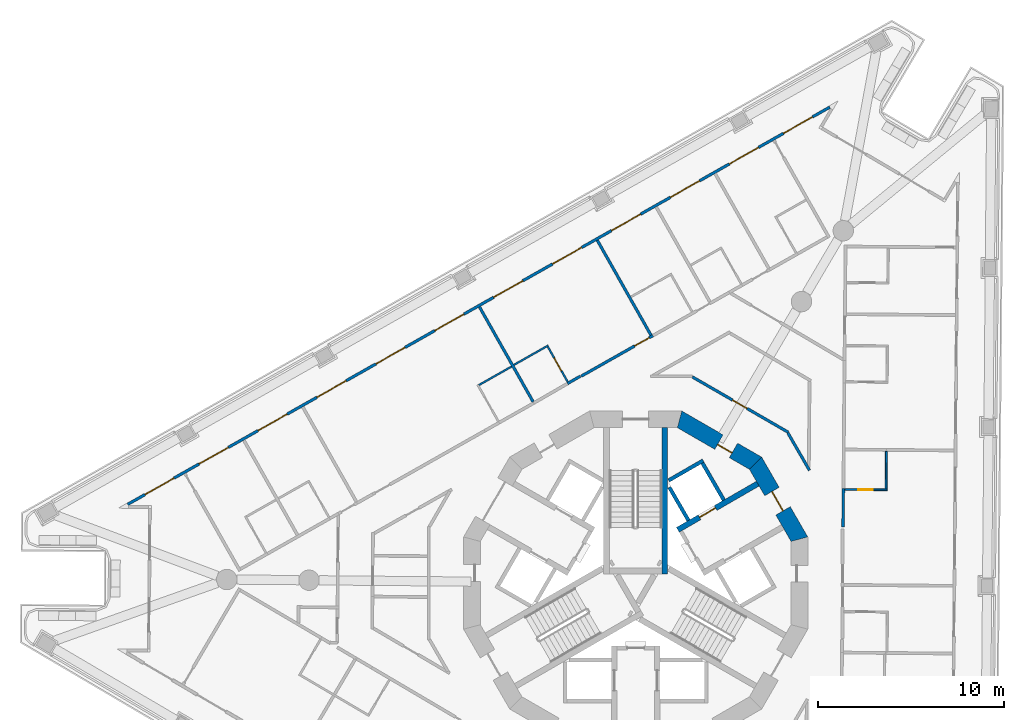
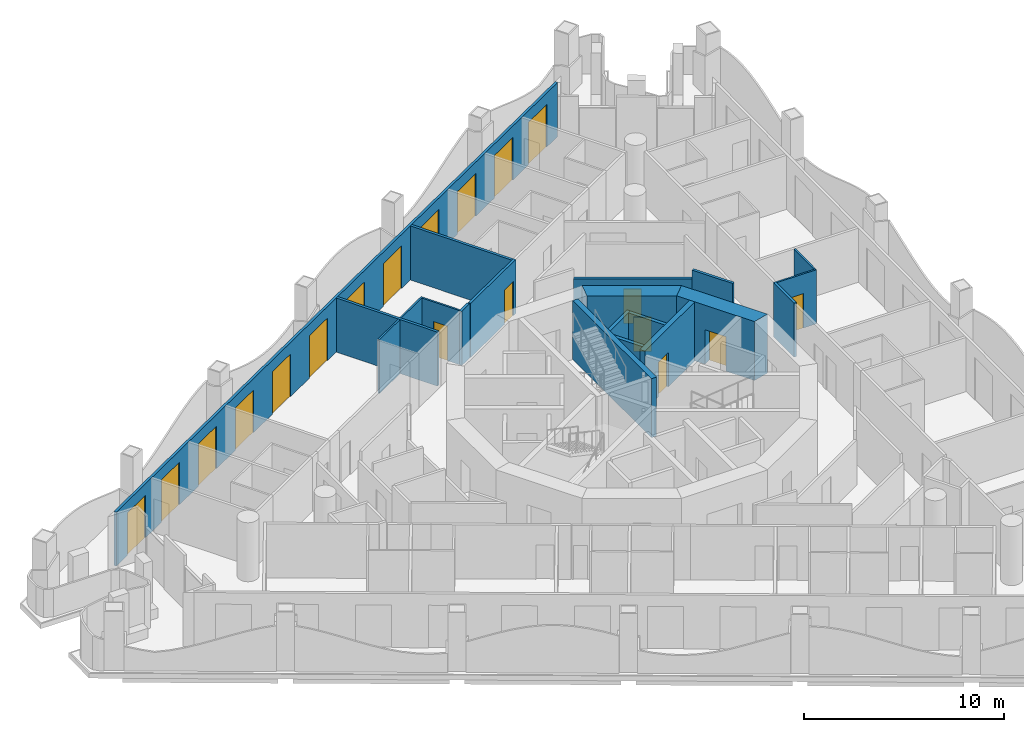
# One storey, part 8 of 17: 20 walls, 19 doors, 19 openings.
"""IFC4 building model written with IfcOpenShell, lengths in metres."""

from ifc_helpers import new_model, si_unit, direction, frame, frame_2d, origin, place, context, subcontext, project, spatial, polyline, rectangle, outline, extrude, material, layer, layer_set, type_object, element, fill, save


model = new_model("IFC4")

# Units and contexts
model_context = context("Model", 3, precision=1e-05, world=origin(), true_north=direction((0.0, 1.0)))
body_context = subcontext(model_context, "Body", "Model", "MODEL_VIEW")
ifc_project = project(units=[si_unit("LENGTHUNIT", "METRE"), si_unit("AREAUNIT", "SQUARE_METRE"), si_unit("VOLUMEUNIT", "CUBIC_METRE"), si_unit("PLANEANGLEUNIT", "RADIAN"), si_unit("MASSUNIT", "GRAM", prefix="KILO")], contexts=[model_context])

# Site, building, storey
site_placement = place(None, origin())
site = spatial("IfcSite", under=ifc_project, at=site_placement, CompositionType="ELEMENT")
building_placement = place(site_placement, origin())
building = spatial("IfcBuilding", under=site, at=building_placement, Name="Trine Commons Tower", CompositionType="ELEMENT")
storey_placement = place(building_placement, frame((0.0, 0.0, 164.699951171875)))
storey = spatial("IfcBuildingStorey", under=building, at=storey_placement, Name="L42", CompositionType="ELEMENT", Elevation=164.699951171875)

# Wall, openings, doors
ifc_material_1 = material(Name="Aluminium-framed insulated wall panel", Category="aluminium")
ifc_layer_1 = layer(ifc_material_1, 0.14990234375)
ifc_layer_set_1 = layer_set([ifc_layer_1], Name="Aluminium-framed insulated wall panel")
wall_type_1 = type_object("IfcWallType", Name="Glazed frame wall 150, EI 60", PredefinedType="SOLIDWALL", material=ifc_layer_set_1)
wall_1_placement = place(storey_placement, frame((52.497802734375, 66.67041015625, 0.0), z_axis=(0.0, 0.0, 1.0), x_axis=(0.870354973249, 0.492424837453, 0.0)))
wall_1 = element("IfcWall", 1, at=wall_1_placement, inside=storey, type_object=wall_type_1, Name="Glazed frame wall F1", PredefinedType="SOLIDWALL", context=body_context, shape_type="SweptSolid", body=[
    extrude(outline(polyline([(0.1494140625, 0.074951171875), (0.1494140625, -0.074951171875), (43.616943359375, -0.074951171875), (43.616943359375, 0.074951171875), (0.1494140625, 0.074951171875)])), origin(), (0.0, 0.0, 1.0), 3.300048828125),
])
opening_1_placement = place(wall_1_placement, frame((1.2236328125, 0.0, 0.0)))
opening_1 = element("IfcOpeningElement", 2, at=opening_1_placement, cuts=wall_1, Name="Opening BD-5F1-01", PredefinedType="OPENING", context=body_context, shape_type="SweptSolid", body=[
    extrude(rectangle(XDim=1.800048828125, YDim=2.60009765625, at=frame_2d((0.89990234375, 1.300048828125))), frame((0.0, 0.0849609375, 0.0), z_axis=(0.0, -1.0, 0.0), x_axis=(1.0, 0.0, 0.0)), (0.0, 0.0, 1.0), 0.169921875),
])
opening_2_placement = place(wall_1_placement, frame((4.57080078125, 0.0, 0.0)))
opening_2 = element("IfcOpeningElement", 3, at=opening_2_placement, cuts=wall_1, Name="Opening BD-5F1-02", PredefinedType="OPENING", context=body_context, shape_type="SweptSolid", body=[
    extrude(rectangle(XDim=1.800048828125, YDim=2.60009765625, at=frame_2d((0.89990234375, 1.300048828125))), frame((0.0, 0.0849609375, 0.0), z_axis=(0.0, -1.0, 0.0), x_axis=(1.0, 0.0, 0.0)), (0.0, 0.0, 1.0), 0.169921875),
])
opening_3_placement = place(wall_1_placement, frame((8.218017578125, 0.0, 0.0)))
opening_3 = element("IfcOpeningElement", 4, at=opening_3_placement, cuts=wall_1, Name="Opening BD-5F1-03", PredefinedType="OPENING", context=body_context, shape_type="SweptSolid", body=[
    extrude(rectangle(XDim=1.800048828125, YDim=2.60009765625, at=frame_2d((0.89990234375, 1.300048828125))), frame((0.0, 0.0849609375, 0.0), z_axis=(0.0, -1.0, 0.0), x_axis=(1.0, 0.0, 0.0)), (0.0, 0.0, 1.0), 0.169921875),
])
opening_4_placement = place(wall_1_placement, frame((11.865234375, 0.0, 0.0)))
opening_4 = element("IfcOpeningElement", 5, at=opening_4_placement, cuts=wall_1, Name="Opening BD-5F1-04", PredefinedType="OPENING", context=body_context, shape_type="SweptSolid", body=[
    extrude(rectangle(XDim=1.800048828125, YDim=2.60009765625, at=frame_2d((0.89990234375, 1.300048828125))), frame((0.0, 0.0849609375, 0.0), z_axis=(0.0, -1.0, 0.0), x_axis=(1.0, 0.0, 0.0)), (0.0, 0.0, 1.0), 0.169921875),
])
opening_5_placement = place(wall_1_placement, frame((15.512451171875, 0.0, 0.0)))
opening_5 = element("IfcOpeningElement", 6, at=opening_5_placement, cuts=wall_1, Name="Opening BD-5F1-05", PredefinedType="OPENING", context=body_context, shape_type="SweptSolid", body=[
    extrude(rectangle(XDim=1.800048828125, YDim=2.60009765625, at=frame_2d((0.89990234375, 1.300048828125))), frame((0.0, 0.0849609375, 0.0), z_axis=(0.0, -1.0, 0.0), x_axis=(1.0, 0.0, 0.0)), (0.0, 0.0, 1.0), 0.169921875),
])
opening_6_placement = place(wall_1_placement, frame((19.15966796875, 0.0, 0.0)))
opening_6 = element("IfcOpeningElement", 7, at=opening_6_placement, cuts=wall_1, Name="Opening BD-5F1-06", PredefinedType="OPENING", context=body_context, shape_type="SweptSolid", body=[
    extrude(rectangle(XDim=1.800048828125, YDim=2.60009765625, at=frame_2d((0.89990234375, 1.300048828125))), frame((0.0, 0.0849609375, 0.0), z_axis=(0.0, -1.0, 0.0), x_axis=(1.0, 0.0, 0.0)), (0.0, 0.0, 1.0), 0.169921875),
])
opening_7_placement = place(wall_1_placement, frame((22.806884765625, 0.0, 0.0)))
opening_7 = element("IfcOpeningElement", 8, at=opening_7_placement, cuts=wall_1, Name="Opening BD-5F1-07", PredefinedType="OPENING", context=body_context, shape_type="SweptSolid", body=[
    extrude(rectangle(XDim=1.800048828125, YDim=2.60009765625, at=frame_2d((0.89990234375, 1.300048828125))), frame((0.0, 0.0849609375, 0.0), z_axis=(0.0, -1.0, 0.0), x_axis=(1.0, 0.0, 0.0)), (0.0, 0.0, 1.0), 0.169921875),
])
opening_8_placement = place(wall_1_placement, frame((26.4541015625, 0.0, 0.0)))
opening_8 = element("IfcOpeningElement", 9, at=opening_8_placement, cuts=wall_1, Name="Opening BD-5F1-08", PredefinedType="OPENING", context=body_context, shape_type="SweptSolid", body=[
    extrude(rectangle(XDim=1.800048828125, YDim=2.60009765625, at=frame_2d((0.89990234375, 1.300048828125))), frame((0.0, 0.0849609375, 0.0), z_axis=(0.0, -1.0, 0.0), x_axis=(1.0, 0.0, 0.0)), (0.0, 0.0, 1.0), 0.169921875),
])
opening_9_placement = place(wall_1_placement, frame((30.101318359375, 0.0, 0.0)))
opening_9 = element("IfcOpeningElement", 10, at=opening_9_placement, cuts=wall_1, Name="Opening BD-5F1-09", PredefinedType="OPENING", context=body_context, shape_type="SweptSolid", body=[
    extrude(rectangle(XDim=1.800048828125, YDim=2.60009765625, at=frame_2d((0.89990234375, 1.300048828125))), frame((0.0, 0.0849609375, 0.0), z_axis=(0.0, -1.0, 0.0), x_axis=(1.0, 0.0, 0.0)), (0.0, 0.0, 1.0), 0.169921875),
])
opening_10_placement = place(wall_1_placement, frame((33.748291015625, 0.0, 0.0)))
opening_10 = element("IfcOpeningElement", 11, at=opening_10_placement, cuts=wall_1, Name="Opening BD-5F1-10", PredefinedType="OPENING", context=body_context, shape_type="SweptSolid", body=[
    extrude(rectangle(XDim=1.800048828125, YDim=2.60009765625, at=frame_2d((0.89990234375, 1.300048828125))), frame((0.0, 0.0849609375, 0.0), z_axis=(0.0, -1.0, 0.0), x_axis=(1.0, 0.0, 0.0)), (0.0, 0.0, 1.0), 0.169921875),
])
opening_11_placement = place(wall_1_placement, frame((37.3955078125, 0.0, 0.0)))
opening_11 = element("IfcOpeningElement", 12, at=opening_11_placement, cuts=wall_1, Name="Opening BD-5F1-11", PredefinedType="OPENING", context=body_context, shape_type="SweptSolid", body=[
    extrude(rectangle(XDim=1.800048828125, YDim=2.60009765625, at=frame_2d((0.89990234375, 1.300048828125))), frame((0.0, 0.0849609375, 0.0), z_axis=(0.0, -1.0, 0.0), x_axis=(1.0, 0.0, 0.0)), (0.0, 0.0, 1.0), 0.169921875),
])
opening_12_placement = place(wall_1_placement, frame((40.742919921875, 0.0, 0.0)))
opening_12 = element("IfcOpeningElement", 13, at=opening_12_placement, cuts=wall_1, Name="Opening BD-5F1-12", PredefinedType="OPENING", context=body_context, shape_type="SweptSolid", body=[
    extrude(rectangle(XDim=1.800048828125, YDim=2.60009765625, at=frame_2d((0.89990234375, 1.300048828125))), frame((0.0, 0.0849609375, 0.0), z_axis=(0.0, -1.0, 0.0), x_axis=(1.0, 0.0, 0.0)), (0.0, 0.0, 1.0), 0.169921875),
])
ifc_material_2 = material(Name="Anodised aluminium frame with double glazing", Category="aluminium")
door_type_1 = type_object("IfcDoorType", Name="Sliding loggia door 1800x2600", OperationType="SLIDING_TO_LEFT", PredefinedType="DOOR", material=ifc_material_2)
door_1_placement = place(opening_1_placement, origin())
door_1 = element("IfcDoor", 14, at=door_1_placement, inside=storey, type_object=door_type_1, Name="Loggia door F1 1", OperationType="SLIDING_TO_LEFT", OverallHeight=2.60009765625, OverallWidth=1.800048828125, PredefinedType="DOOR", context=body_context, shape_type="SweptSolid", body=[
    extrude(rectangle(XDim=1.800048828125, YDim=2.60009765625, at=frame_2d((0.89990234375, 1.300048828125))), frame((0.0, 0.02490234375, 0.0), z_axis=(0.0, -1.0, 0.0), x_axis=(1.0, 0.0, 0.0)), (0.0, 0.0, 1.0), 0.050048828125),
])
fill(opening_1, door_1)
door_2_placement = place(opening_2_placement, origin())
door_2 = element("IfcDoor", 15, at=door_2_placement, inside=storey, type_object=door_type_1, Name="Loggia door F1 2", OperationType="SLIDING_TO_LEFT", OverallHeight=2.60009765625, OverallWidth=1.800048828125, PredefinedType="DOOR", context=body_context, shape_type="SweptSolid", body=[
    extrude(rectangle(XDim=1.800048828125, YDim=2.60009765625, at=frame_2d((0.89990234375, 1.300048828125))), frame((0.0, 0.02490234375, 0.0), z_axis=(0.0, -1.0, 0.0), x_axis=(1.0, 0.0, 0.0)), (0.0, 0.0, 1.0), 0.050048828125),
])
fill(opening_2, door_2)
door_3_placement = place(opening_3_placement, origin())
door_3 = element("IfcDoor", 16, at=door_3_placement, inside=storey, type_object=door_type_1, Name="Loggia door F1 3", OperationType="SLIDING_TO_LEFT", OverallHeight=2.60009765625, OverallWidth=1.800048828125, PredefinedType="DOOR", context=body_context, shape_type="SweptSolid", body=[
    extrude(rectangle(XDim=1.800048828125, YDim=2.60009765625, at=frame_2d((0.89990234375, 1.300048828125))), frame((0.0, 0.02490234375, 0.0), z_axis=(0.0, -1.0, 0.0), x_axis=(1.0, 0.0, 0.0)), (0.0, 0.0, 1.0), 0.050048828125),
])
fill(opening_3, door_3)
door_4_placement = place(opening_4_placement, origin())
door_4 = element("IfcDoor", 17, at=door_4_placement, inside=storey, type_object=door_type_1, Name="Loggia door F1 4", OperationType="SLIDING_TO_LEFT", OverallHeight=2.60009765625, OverallWidth=1.800048828125, PredefinedType="DOOR", context=body_context, shape_type="SweptSolid", body=[
    extrude(rectangle(XDim=1.800048828125, YDim=2.60009765625, at=frame_2d((0.89990234375, 1.300048828125))), frame((0.0, 0.02490234375, 0.0), z_axis=(0.0, -1.0, 0.0), x_axis=(1.0, 0.0, 0.0)), (0.0, 0.0, 1.0), 0.050048828125),
])
fill(opening_4, door_4)
door_5_placement = place(opening_5_placement, origin())
door_5 = element("IfcDoor", 18, at=door_5_placement, inside=storey, type_object=door_type_1, Name="Loggia door F1 5", OperationType="SLIDING_TO_LEFT", OverallHeight=2.60009765625, OverallWidth=1.800048828125, PredefinedType="DOOR", context=body_context, shape_type="SweptSolid", body=[
    extrude(rectangle(XDim=1.800048828125, YDim=2.60009765625, at=frame_2d((0.89990234375, 1.300048828125))), frame((0.0, 0.02490234375, 0.0), z_axis=(0.0, -1.0, 0.0), x_axis=(1.0, 0.0, 0.0)), (0.0, 0.0, 1.0), 0.050048828125),
])
fill(opening_5, door_5)
door_6_placement = place(opening_6_placement, origin())
door_6 = element("IfcDoor", 19, at=door_6_placement, inside=storey, type_object=door_type_1, Name="Loggia door F1 6", OperationType="SLIDING_TO_LEFT", OverallHeight=2.60009765625, OverallWidth=1.800048828125, PredefinedType="DOOR", context=body_context, shape_type="SweptSolid", body=[
    extrude(rectangle(XDim=1.800048828125, YDim=2.60009765625, at=frame_2d((0.89990234375, 1.300048828125))), frame((0.0, 0.02490234375, 0.0), z_axis=(0.0, -1.0, 0.0), x_axis=(1.0, 0.0, 0.0)), (0.0, 0.0, 1.0), 0.050048828125),
])
fill(opening_6, door_6)
door_7_placement = place(opening_7_placement, origin())
door_7 = element("IfcDoor", 20, at=door_7_placement, inside=storey, type_object=door_type_1, Name="Loggia door F1 7", OperationType="SLIDING_TO_LEFT", OverallHeight=2.60009765625, OverallWidth=1.800048828125, PredefinedType="DOOR", context=body_context, shape_type="SweptSolid", body=[
    extrude(rectangle(XDim=1.800048828125, YDim=2.60009765625, at=frame_2d((0.89990234375, 1.300048828125))), frame((0.0, 0.02490234375, 0.0), z_axis=(0.0, -1.0, 0.0), x_axis=(1.0, 0.0, 0.0)), (0.0, 0.0, 1.0), 0.050048828125),
])
fill(opening_7, door_7)
door_8_placement = place(opening_8_placement, origin())
door_8 = element("IfcDoor", 21, at=door_8_placement, inside=storey, type_object=door_type_1, Name="Loggia door F1 8", OperationType="SLIDING_TO_LEFT", OverallHeight=2.60009765625, OverallWidth=1.800048828125, PredefinedType="DOOR", context=body_context, shape_type="SweptSolid", body=[
    extrude(rectangle(XDim=1.800048828125, YDim=2.60009765625, at=frame_2d((0.89990234375, 1.300048828125))), frame((0.0, 0.02490234375, 0.0), z_axis=(0.0, -1.0, 0.0), x_axis=(1.0, 0.0, 0.0)), (0.0, 0.0, 1.0), 0.050048828125),
])
fill(opening_8, door_8)
door_9_placement = place(opening_9_placement, origin())
door_9 = element("IfcDoor", 22, at=door_9_placement, inside=storey, type_object=door_type_1, Name="Loggia door F1 9", OperationType="SLIDING_TO_LEFT", OverallHeight=2.60009765625, OverallWidth=1.800048828125, PredefinedType="DOOR", context=body_context, shape_type="SweptSolid", body=[
    extrude(rectangle(XDim=1.800048828125, YDim=2.60009765625, at=frame_2d((0.89990234375, 1.300048828125))), frame((0.0, 0.02490234375, 0.0), z_axis=(0.0, -1.0, 0.0), x_axis=(1.0, 0.0, 0.0)), (0.0, 0.0, 1.0), 0.050048828125),
])
fill(opening_9, door_9)
door_10_placement = place(opening_10_placement, origin())
door_10 = element("IfcDoor", 23, at=door_10_placement, inside=storey, type_object=door_type_1, Name="Loggia door F1 10", OperationType="SLIDING_TO_LEFT", OverallHeight=2.60009765625, OverallWidth=1.800048828125, PredefinedType="DOOR", context=body_context, shape_type="SweptSolid", body=[
    extrude(rectangle(XDim=1.800048828125, YDim=2.60009765625, at=frame_2d((0.89990234375, 1.300048828125))), frame((0.0, 0.02490234375, 0.0), z_axis=(0.0, -1.0, 0.0), x_axis=(1.0, 0.0, 0.0)), (0.0, 0.0, 1.0), 0.050048828125),
])
fill(opening_10, door_10)
door_11_placement = place(opening_11_placement, origin())
door_11 = element("IfcDoor", 24, at=door_11_placement, inside=storey, type_object=door_type_1, Name="Loggia door F1 11", OperationType="SLIDING_TO_LEFT", OverallHeight=2.60009765625, OverallWidth=1.800048828125, PredefinedType="DOOR", context=body_context, shape_type="SweptSolid", body=[
    extrude(rectangle(XDim=1.800048828125, YDim=2.60009765625, at=frame_2d((0.89990234375, 1.300048828125))), frame((0.0, 0.02490234375, 0.0), z_axis=(0.0, -1.0, 0.0), x_axis=(1.0, 0.0, 0.0)), (0.0, 0.0, 1.0), 0.050048828125),
])
fill(opening_11, door_11)
door_12_placement = place(opening_12_placement, origin())
door_12 = element("IfcDoor", 25, at=door_12_placement, inside=storey, type_object=door_type_1, Name="Loggia door F1 12", OperationType="SLIDING_TO_LEFT", OverallHeight=2.60009765625, OverallWidth=1.800048828125, PredefinedType="DOOR", context=body_context, shape_type="SweptSolid", body=[
    extrude(rectangle(XDim=1.800048828125, YDim=2.60009765625, at=frame_2d((0.89990234375, 1.300048828125))), frame((0.0, 0.02490234375, 0.0), z_axis=(0.0, -1.0, 0.0), x_axis=(1.0, 0.0, 0.0)), (0.0, 0.0, 1.0), 0.050048828125),
])
fill(opening_12, door_12)

# Wall, opening, door
ifc_material_3 = material(Name="Concrete C60/75", Category="concrete")
ifc_layer_2 = layer(ifc_material_3, 0.300048828125)
ifc_layer_set_2 = layer_set([ifc_layer_2], Name="Concrete C60/75")
wall_type_2 = type_object("IfcWallType", Name="RC shear wall 300 mm, C60/75", PredefinedType="SHEAR", material=ifc_layer_set_2)
wall_2_placement = place(storey_placement, frame((82.26904296875, 65.368896484375, 0.0), z_axis=(0.0, 0.0, 1.0), x_axis=(0.865983655544, 0.500072303102, 0.0)))
wall_2 = element("IfcWall", 26, at=wall_2_placement, inside=storey, type_object=wall_type_2, Name="Core cross wall SWB-05 L42", PredefinedType="SHEAR", context=body_context, shape_type="SweptSolid", body=[
    extrude(rectangle(XDim=4.973388671875, YDim=0.300048828125, at=frame_2d((2.48681640625, 0.0))), origin(), (0.0, 0.0, 1.0), 3.60009765625),
])
opening_13_placement = place(wall_2_placement, frame((1.3505859375, 0.0, 0.0)))
opening_13 = element("IfcOpeningElement", 27, at=opening_13_placement, cuts=wall_2, Name="Opening LD5", PredefinedType="OPENING", context=body_context, shape_type="SweptSolid", body=[
    extrude(rectangle(XDim=1.0, YDim=2.10009765625, at=frame_2d((0.5, 1.050048828125))), frame((0.0, 0.159912109375, 0.0), z_axis=(0.0, -1.0, 0.0), x_axis=(1.0, 0.0, 0.0)), (0.0, 0.0, 1.0), 0.320068359375),
])
ifc_material_4 = material(Name="Stainless steel sliding door leaves", Category="steel")
door_type_2 = type_object("IfcDoorType", Name="Lift landing door, centre-opening sliding 1000 x 2100, FD90", OperationType="DOUBLE_DOOR_SLIDING", PredefinedType="DOOR", material=ifc_material_4)
door_13_placement = place(opening_13_placement, origin())
door_13 = element("IfcDoor", 28, at=door_13_placement, inside=storey, type_object=door_type_2, Name="Lift landing door HR1 L42", OperationType="DOUBLE_DOOR_SLIDING", OverallHeight=2.10009765625, OverallWidth=1.0, PredefinedType="DOOR", context=body_context, shape_type="SweptSolid", body=[
    extrude(rectangle(XDim=1.0, YDim=2.10009765625, at=frame_2d((0.5, 1.050048828125))), frame((0.0, 0.02490234375, 0.0), z_axis=(0.0, -1.0, 0.0), x_axis=(1.0, 0.0, 0.0)), (0.0, 0.0, 1.0), 0.050048828125),
])
fill(opening_13, door_13)

# Wall
wall_3_placement = place(storey_placement, frame((81.574951171875, 63.0009765625, 0.0), z_axis=(0.0, 0.0, 1.0), x_axis=(0.0, 1.0, 0.0)))
element("IfcWall", 29, at=wall_3_placement, inside=storey, type_object=wall_type_2, Name="Core cross wall SWB-17 L42", PredefinedType="SHEAR", context=body_context, shape_type="SweptSolid", body=[
    extrude(rectangle(XDim=7.8720703125, YDim=0.300048828125, at=frame_2d((3.93603515625, 0.0))), origin(), (0.0, 0.0, 1.0), 3.60009765625),
])

# Wall, opening, door
ifc_layer_3 = layer(ifc_material_3, 0.89990234375)
ifc_layer_set_3 = layer_set([ifc_layer_3], Name="Concrete C60/75")
wall_type_3 = type_object("IfcWallType", Name="RC shear wall 900 mm, C60/75", PredefinedType="SHEAR", material=ifc_layer_set_3)
wall_4_placement = place(storey_placement, frame((88.88330078125, 64.759765625, 0.0), z_axis=(0.0, 0.0, 1.0), x_axis=(-0.500038571144, 0.866003133579, 0.0)))
wall_4 = element("IfcWall", 30, at=wall_4_placement, inside=storey, type_object=wall_type_3, Name="Core wall CWE-02 L42", PredefinedType="SHEAR", context=body_context, shape_type="SweptSolid", body=[
    extrude(outline(polyline([(0.0, -0.449951171875), (4.96923828125, -0.449951171875), (4.72802734375, 0.449951171875), (0.2412109375, 0.449951171875), (0.0, -0.449951171875)])), origin(), (0.0, 0.0, 1.0), 3.60009765625),
])
opening_14_placement = place(wall_4_placement, frame((1.884521484375, 0.0, 0.0)))
opening_14 = element("IfcOpeningElement", 31, at=opening_14_placement, cuts=wall_4, Name="Opening K09.04", PredefinedType="OPENING", context=body_context, shape_type="SweptSolid", body=[
    extrude(rectangle(XDim=1.199951171875, YDim=2.10009765625, at=frame_2d((0.60009765625, 1.050048828125))), frame((0.0, 0.4599609375, 0.0), z_axis=(0.0, -1.0, 0.0), x_axis=(1.0, 0.0, 0.0)), (0.0, 0.0, 1.0), 0.919921875),
])
ifc_material_5 = material(Name="Steel door leaves, fire-rated", Category="steel")
door_type_3 = type_object("IfcDoorType", Name="Lobby door, double leaf 1200 x 2100, FD60", OperationType="DOUBLE_DOOR_SINGLE_SWING", PredefinedType="DOOR", material=ifc_material_5)
door_14_placement = place(opening_14_placement, origin())
door_14 = element("IfcDoor", 32, at=door_14_placement, inside=storey, type_object=door_type_3, Name="Lobby door, Passenger lift lobby A L42", OperationType="DOUBLE_DOOR_SINGLE_SWING", OverallHeight=2.10009765625, OverallWidth=1.199951171875, PredefinedType="DOOR", context=body_context, shape_type="SweptSolid", body=[
    extrude(rectangle(XDim=1.199951171875, YDim=2.10009765625, at=frame_2d((0.60009765625, 1.050048828125))), frame((0.0, 0.02490234375, 0.0), z_axis=(0.0, -1.0, 0.0), x_axis=(1.0, 0.0, 0.0)), (0.0, 0.0, 1.0), 0.050048828125),
])
fill(opening_14, door_14)

wall_5_placement = place(storey_placement, frame((86.563232421875, 68.8984375, 0.0), z_axis=(0.0, 0.0, 1.0), x_axis=(-0.866003133579, 0.500038571144, 0.0)))
wall_5 = element("IfcWall", 33, at=wall_5_placement, inside=storey, type_object=wall_type_3, Name="Core wall CWE-03 L42", PredefinedType="SHEAR", context=body_context, shape_type="SweptSolid", body=[
    extrude(outline(polyline([(0.0, -0.449951171875), (4.96923828125, -0.449951171875), (4.72802734375, 0.449951171875), (0.2412109375, 0.449951171875), (0.0, -0.449951171875)])), origin(), (0.0, 0.0, 1.0), 3.60009765625),
])
opening_15_placement = place(wall_5_placement, frame((1.49609375, 0.0, 0.0)))
opening_15 = element("IfcOpeningElement", 34, at=opening_15_placement, cuts=wall_5, Name="Opening K09.11", PredefinedType="OPENING", context=body_context, shape_type="SweptSolid", body=[
    extrude(rectangle(XDim=0.89990234375, YDim=2.10009765625, at=frame_2d((0.449951171875, 1.050048828125))), frame((0.0, 0.4599609375, 0.0), z_axis=(0.0, -1.0, 0.0), x_axis=(1.0, 0.0, 0.0)), (0.0, 0.0, 1.0), 0.919921875),
])
ifc_material_6 = material(Name="Steel door leaf, fire-rated", Category="steel")
door_type_4 = type_object("IfcDoorType", Name="Core room door, single leaf 900 x 2100, FD30S", OperationType="SINGLE_SWING_LEFT", PredefinedType="DOOR", material=ifc_material_6)
door_15_placement = place(opening_15_placement, origin())
door_15 = element("IfcDoor", 35, at=door_15_placement, inside=storey, type_object=door_type_4, Name="Door to Accessible WC L42", OperationType="SINGLE_SWING_LEFT", OverallHeight=2.10009765625, OverallWidth=0.89990234375, PredefinedType="DOOR", context=body_context, shape_type="SweptSolid", body=[
    extrude(rectangle(XDim=0.89990234375, YDim=2.10009765625, at=frame_2d((0.449951171875, 1.050048828125))), frame((0.0, 0.1748046875, 0.0), z_axis=(0.0, -1.0, 0.0), x_axis=(1.0, 0.0, 0.0)), (0.0, 0.0, 1.0), 0.050048828125),
])
fill(opening_15, door_15)

# Walls
ifc_material_7 = material(Name="Fire-rated gypsum shaft wall system")
ifc_layer_4 = layer(ifc_material_7, 0.199951171875)
ifc_layer_set_4 = layer_set([ifc_layer_4], Name="Fire-rated gypsum shaft wall system")
wall_type_4 = type_object("IfcWallType", Name="Shaft wall 200 mm, EI 120", PredefinedType="PARTITIONING", material=ifc_layer_set_4)
wall_6_placement = place(storey_placement, frame((81.77490234375, 68.028076171875, 0.0), z_axis=(0.0, 0.0, 1.0), x_axis=(0.866130725101, 0.499817533742, 0.0)))
element("IfcWall", 36, at=wall_6_placement, inside=storey, type_object=wall_type_4, Name="Shaft wall L42", PredefinedType="PARTITIONING", context=body_context, shape_type="SweptSolid", body=[
    extrude(rectangle(XDim=2.148681640625, YDim=0.199951171875, at=frame_2d((1.07421875, 0.0))), origin(), (0.0, 0.0, 1.0), 3.300048828125),
])
wall_7_placement = place(storey_placement, frame((82.843994140625, 65.8740234375, 0.0), z_axis=(0.0, 0.0, 1.0), x_axis=(-0.499865770674, 0.866102887253, 0.0)))
element("IfcWall", 37, at=wall_7_placement, inside=storey, type_object=wall_type_4, Name="Shaft wall L42", PredefinedType="PARTITIONING", context=body_context, shape_type="SweptSolid", body=[
    extrude(rectangle(XDim=2.064453125, YDim=0.199951171875, at=frame_2d((1.0322265625, 0.0))), origin(), (0.0, 0.0, 1.0), 3.300048828125),
])
wall_8_placement = place(storey_placement, frame((84.7490234375, 66.97412109375, 0.0), z_axis=(0.0, 0.0, 1.0), x_axis=(-0.500136062276, 0.86594683394, 0.0)))
element("IfcWall", 38, at=wall_8_placement, inside=storey, type_object=wall_type_4, Name="Shaft wall L42", PredefinedType="PARTITIONING", context=body_context, shape_type="SweptSolid", body=[
    extrude(rectangle(XDim=2.299072265625, YDim=0.199951171875, at=frame_2d((1.1494140625, 0.0))), origin(), (0.0, 0.0, 1.0), 3.300048828125),
])
ifc_material_8 = material(Name="Gypsum plasterboard on steel stud", Category="steel")
ifc_layer_5 = layer(ifc_material_8, 0.14990234375)
ifc_layer_set_5 = layer_set([ifc_layer_5], Name="Gypsum plasterboard on steel stud")
wall_type_5 = type_object("IfcWallType", Name="Unit and corridor wall 150 mm, EI 60", PredefinedType="PARTITIONING", material=ifc_layer_set_5)
wall_9_placement = place(storey_placement, frame((71.580810546875, 77.381103515625, 0.0), z_axis=(0.0, 0.0, 1.0), x_axis=(0.4923790567, -0.870380873252, 0.0)))
element("IfcWall", 39, at=wall_9_placement, inside=storey, type_object=wall_type_5, Name="Partition 045", PredefinedType="PARTITIONING", context=body_context, shape_type="SweptSolid", body=[
    extrude(rectangle(XDim=5.874267578125, YDim=0.14990234375, at=frame_2d((2.93701171875, 0.0))), origin(), (0.0, 0.0, 1.0), 3.300048828125),
])
wall_10_placement = place(storey_placement, frame((76.32568359375, 73.2509765625, 0.0), z_axis=(0.0, 0.0, 1.0), x_axis=(0.865924288798, 0.500175095412, 0.0)))
element("IfcWall", 40, at=wall_10_placement, inside=storey, type_object=wall_type_5, Name="Partition 058", PredefinedType="PARTITIONING", context=body_context, shape_type="SweptSolid", body=[
    extrude(rectangle(XDim=0.793701171875, YDim=0.14990234375, at=frame_2d((0.39697265625, 0.0))), origin(), (0.0, 0.0, 1.0), 3.300048828125),
])

# Wall, opening, door
wall_11_placement = place(storey_placement, frame((77.06396484375, 73.64794921875, 0.0), z_axis=(0.0, 0.0, 1.0), x_axis=(0.870327135276, 0.492474037491, 0.0)))
wall_11 = element("IfcWall", 41, at=wall_11_placement, inside=storey, type_object=wall_type_5, Name="Partition 060", PredefinedType="PARTITIONING", context=body_context, shape_type="SweptSolid", body=[
    extrude(rectangle(XDim=4.43896484375, YDim=0.14990234375, at=frame_2d((2.219482421875, 0.0))), origin(), (0.0, 0.0, 1.0), 3.300048828125),
])
opening_16_placement = place(wall_11_placement, frame((3.310302734375, 0.0, 0.0)))
opening_16 = element("IfcOpeningElement", 42, at=opening_16_placement, cuts=wall_11, Name="Opening D-5A09", PredefinedType="OPENING", context=body_context, shape_type="SweptSolid", body=[
    extrude(rectangle(XDim=0.89990234375, YDim=2.10009765625, at=frame_2d((0.449951171875, 1.050048828125))), frame((0.0, 0.0849609375, 0.0), z_axis=(0.0, -1.0, 0.0), x_axis=(1.0, 0.0, 0.0)), (0.0, 0.0, 1.0), 0.169921875),
])
ifc_material_9 = material(Name="Timber fire door set", Category="wood")
door_type_5 = type_object("IfcDoorType", Name="Bedroom door 900 x 2100, FD30S", OperationType="NOTDEFINED", PredefinedType="DOOR", material=ifc_material_9)
door_16_placement = place(opening_16_placement, origin())
door_16 = element("IfcDoor", 43, at=door_16_placement, inside=storey, type_object=door_type_5, Name="Door D-5A09", OperationType="SINGLE_SWING_RIGHT", OverallHeight=2.10009765625, OverallWidth=0.89990234375, PredefinedType="DOOR", context=body_context, shape_type="SweptSolid", body=[
    extrude(rectangle(XDim=0.89990234375, YDim=2.10009765625, at=frame_2d((0.449951171875, 1.050048828125))), frame((0.0, 0.02490234375, 0.0), z_axis=(0.0, -1.0, 0.0), x_axis=(1.0, 0.0, 0.0)), (0.0, 0.0, 1.0), 0.050048828125),
])
fill(opening_16, door_16)

# Wall
wall_12_placement = place(storey_placement, frame((77.9296875, 80.97314453125, 0.0), z_axis=(0.0, 0.0, 1.0), x_axis=(0.4923790567, -0.870380873252, 0.0)))
element("IfcWall", 44, at=wall_12_placement, inside=storey, type_object=wall_type_5, Name="Partition 062", PredefinedType="PARTITIONING", context=body_context, shape_type="SweptSolid", body=[
    extrude(rectangle(XDim=5.874267578125, YDim=0.14990234375, at=frame_2d((2.93701171875, 0.0))), origin(), (0.0, 0.0, 1.0), 3.300048828125),
])

# Wall, opening, door
wall_13_placement = place(storey_placement, frame((83.052001953125, 73.610595703125, 0.0), z_axis=(0.0, 0.0, 1.0), x_axis=(0.866039280689, -0.499975963725, 0.0)))
wall_13 = element("IfcWall", 45, at=wall_13_placement, inside=storey, type_object=wall_type_5, Name="Partition 079", PredefinedType="PARTITIONING", context=body_context, shape_type="SweptSolid", body=[
    extrude(rectangle(XDim=5.974365234375, YDim=0.14990234375, at=frame_2d((2.9873046875, 0.0))), origin(), (0.0, 0.0, 1.0), 2.75),
])
opening_17_placement = place(wall_13_placement, frame((2.499755859375, 0.0, 0.0)))
opening_17 = element("IfcOpeningElement", 46, at=opening_17_placement, cuts=wall_13, Name="Opening D-5A27", PredefinedType="OPENING", context=body_context, shape_type="SweptSolid", body=[
    extrude(rectangle(XDim=0.89990234375, YDim=2.10009765625, at=frame_2d((0.449951171875, 1.050048828125))), frame((0.0, 0.0849609375, 0.0), z_axis=(0.0, -1.0, 0.0), x_axis=(1.0, 0.0, 0.0)), (0.0, 0.0, 1.0), 0.169921875),
])
door_type_6 = type_object("IfcDoorType", Name="Service door 900 x 2100, FD30S", OperationType="NOTDEFINED", PredefinedType="DOOR", material=ifc_material_9)
door_17_placement = place(opening_17_placement, origin())
door_17 = element("IfcDoor", 47, at=door_17_placement, inside=storey, type_object=door_type_6, Name="Door D-5A27", OperationType="SINGLE_SWING_LEFT", OverallHeight=2.10009765625, OverallWidth=0.89990234375, PredefinedType="DOOR", context=body_context, shape_type="SweptSolid", body=[
    extrude(rectangle(XDim=0.89990234375, YDim=2.10009765625, at=frame_2d((0.449951171875, 1.050048828125))), frame((0.0, 0.02490234375, 0.0), z_axis=(0.0, -1.0, 0.0), x_axis=(1.0, 0.0, 0.0)), (0.0, 0.0, 1.0), 0.050048828125),
])
fill(opening_17, door_17)

# Walls
wall_14_placement = place(storey_placement, frame((88.198486328125, 70.595947265625, 0.0), z_axis=(0.0, 0.0, 1.0), x_axis=(0.500005931509, -0.866021979199, 0.0)))
element("IfcWall", 48, at=wall_14_placement, inside=storey, type_object=wall_type_5, Name="Partition 101", PredefinedType="PARTITIONING", context=body_context, shape_type="SweptSolid", body=[
    extrude(rectangle(XDim=2.3359375, YDim=0.14990234375, at=frame_2d((1.16796875, 0.0))), origin(), (0.0, 0.0, 1.0), 3.300048828125),
])
wall_15_placement = place(storey_placement, frame((91.174560546875, 65.51611328125, 0.0), z_axis=(0.0, 0.0, 1.0), x_axis=(0.00854769709, 0.99996346777, 0.0)))
element("IfcWall", 49, at=wall_15_placement, inside=storey, type_object=wall_type_5, Name="Partition 122", PredefinedType="PARTITIONING", context=body_context, shape_type="SweptSolid", body=[
    extrude(rectangle(XDim=2.0849609375, YDim=0.14990234375, at=frame_2d((1.04248046875, 0.0))), origin(), (0.0, 0.0, 1.0), 3.300048828125),
])
ifc_layer_6 = layer(ifc_material_8, 0.10009765625)
ifc_layer_set_6 = layer_set([ifc_layer_6], Name="Gypsum plasterboard on steel stud")
wall_type_6 = type_object("IfcWallType", Name="Unit partition 100 mm, no rating", PredefinedType="PARTITIONING", material=ifc_layer_set_6)
wall_16_placement = place(storey_placement, frame((71.550537109375, 73.170654296875, 0.0), z_axis=(0.0, 0.0, 1.0), x_axis=(0.87023930122, 0.492629230367, 0.0)))
element("IfcWall", 50, at=wall_16_placement, inside=storey, type_object=wall_type_6, Name="Partition 044", PredefinedType="PARTITIONING", context=body_context, shape_type="SweptSolid", body=[
    extrude(rectangle(XDim=2.02490234375, YDim=0.10009765625, at=frame_2d((1.012451171875, 0.0))), origin(), (0.0, 0.0, 1.0), 3.300048828125),
])
wall_17_placement = place(storey_placement, frame((73.435302734375, 74.255859375, 0.0), z_axis=(0.0, 0.0, 1.0), x_axis=(0.870265219316, 0.492583442726, 0.0)))
element("IfcWall", 51, at=wall_17_placement, inside=storey, type_object=wall_type_6, Name="Partition 052", PredefinedType="PARTITIONING", context=body_context, shape_type="SweptSolid", body=[
    extrude(rectangle(XDim=2.124755859375, YDim=0.10009765625, at=frame_2d((1.0625, 0.0))), origin(), (0.0, 0.0, 1.0), 3.300048828125),
])

# Wall, opening, door
wall_18_placement = place(storey_placement, frame((75.265625, 75.234619140625, 0.0), z_axis=(0.0, 0.0, 1.0), x_axis=(0.492249770031, -0.870453998729, 0.0)))
wall_18 = element("IfcWall", 52, at=wall_18_placement, inside=storey, type_object=wall_type_6, Name="Partition 056", PredefinedType="PARTITIONING", context=body_context, shape_type="SweptSolid", body=[
    extrude(rectangle(XDim=2.1728515625, YDim=0.10009765625, at=frame_2d((1.08642578125, 0.0))), origin(), (0.0, 0.0, 1.0), 3.300048828125),
])
opening_18_placement = place(wall_18_placement, frame((0.686279296875, 0.0, 0.0)))
opening_18 = element("IfcOpeningElement", 53, at=opening_18_placement, cuts=wall_18, Name="Opening D-5A34", PredefinedType="OPENING", context=body_context, shape_type="SweptSolid", body=[
    extrude(rectangle(XDim=0.800048828125, YDim=2.10009765625, at=frame_2d((0.39990234375, 1.050048828125))), frame((0.0, 0.06005859375, 0.0), z_axis=(0.0, -1.0, 0.0), x_axis=(1.0, 0.0, 0.0)), (0.0, 0.0, 1.0), 0.1201171875),
])
ifc_material_10 = material(Name="Painted timber", Category="wood")
door_type_7 = type_object("IfcDoorType", Name="Internal door 800 x 2100, NOT RATED", OperationType="NOTDEFINED", PredefinedType="DOOR", material=ifc_material_10)
door_18_placement = place(opening_18_placement, origin())
door_18 = element("IfcDoor", 54, at=door_18_placement, inside=storey, type_object=door_type_7, Name="Door D-5A34", OperationType="SINGLE_SWING_LEFT", OverallHeight=2.10009765625, OverallWidth=0.800048828125, PredefinedType="DOOR", context=body_context, shape_type="SweptSolid", body=[
    extrude(rectangle(XDim=0.800048828125, YDim=2.10009765625, at=frame_2d((0.39990234375, 1.050048828125))), frame((0.0, 0.02490234375, 0.0), z_axis=(0.0, -1.0, 0.0), x_axis=(1.0, 0.0, 0.0)), (0.0, 0.0, 1.0), 0.050048828125),
])
fill(opening_18, door_18)

wall_19_placement = place(storey_placement, frame((91.26806640625, 67.54638671875, 0.0), z_axis=(0.0, 0.0, 1.0), x_axis=(0.999962219299, -0.008692524121, 0.0)))
wall_19 = element("IfcWall", 55, at=wall_19_placement, inside=storey, type_object=wall_type_6, Name="Partition 124", PredefinedType="PARTITIONING", context=body_context, shape_type="SweptSolid", body=[
    extrude(rectangle(XDim=2.27490234375, YDim=0.10009765625, at=frame_2d((1.137451171875, 0.0))), origin(), (0.0, 0.0, 1.0), 3.300048828125),
])
opening_19_placement = place(wall_19_placement, frame((0.71240234375, 0.0, 0.0)))
opening_19 = element("IfcOpeningElement", 56, at=opening_19_placement, cuts=wall_19, Name="Opening D-5A40", PredefinedType="OPENING", context=body_context, shape_type="SweptSolid", body=[
    extrude(rectangle(XDim=0.800048828125, YDim=2.10009765625, at=frame_2d((0.39990234375, 1.050048828125))), frame((0.0, 0.06005859375, 0.0), z_axis=(0.0, -1.0, 0.0), x_axis=(1.0, 0.0, 0.0)), (0.0, 0.0, 1.0), 0.1201171875),
])
door_19_placement = place(opening_19_placement, frame((0.800048828125, 0.0, 0.0), z_axis=(0.0, 0.0, 1.0), x_axis=(-1.0, 0.0, 0.0)))
door_19 = element("IfcDoor", 57, at=door_19_placement, inside=storey, type_object=door_type_7, Name="Door D-5A40", OperationType="SINGLE_SWING_RIGHT", OverallHeight=2.10009765625, OverallWidth=0.800048828125, PredefinedType="DOOR", context=body_context, shape_type="SweptSolid", body=[
    extrude(rectangle(XDim=0.800048828125, YDim=2.10009765625, at=frame_2d((0.39990234375, 1.050048828125))), frame((0.0, 0.02490234375, 0.0), z_axis=(0.0, -1.0, 0.0), x_axis=(1.0, 0.0, 0.0)), (0.0, 0.0, 1.0), 0.050048828125),
])
fill(opening_19, door_19)

# Wall
wall_20_placement = place(storey_placement, frame((93.493408203125, 67.576904296875, 0.0), z_axis=(0.0, 0.0, 1.0), x_axis=(0.008438518102, 0.999964395072, 0.0)))
element("IfcWall", 58, at=wall_20_placement, inside=storey, type_object=wall_type_6, Name="Partition 135", PredefinedType="PARTITIONING", context=body_context, shape_type="SweptSolid", body=[
    extrude(rectangle(XDim=2.025146484375, YDim=0.10009765625, at=frame_2d((1.0126953125, 0.0))), origin(), (0.0, 0.0, 1.0), 3.300048828125),
])

save(model, "model.ifc")
